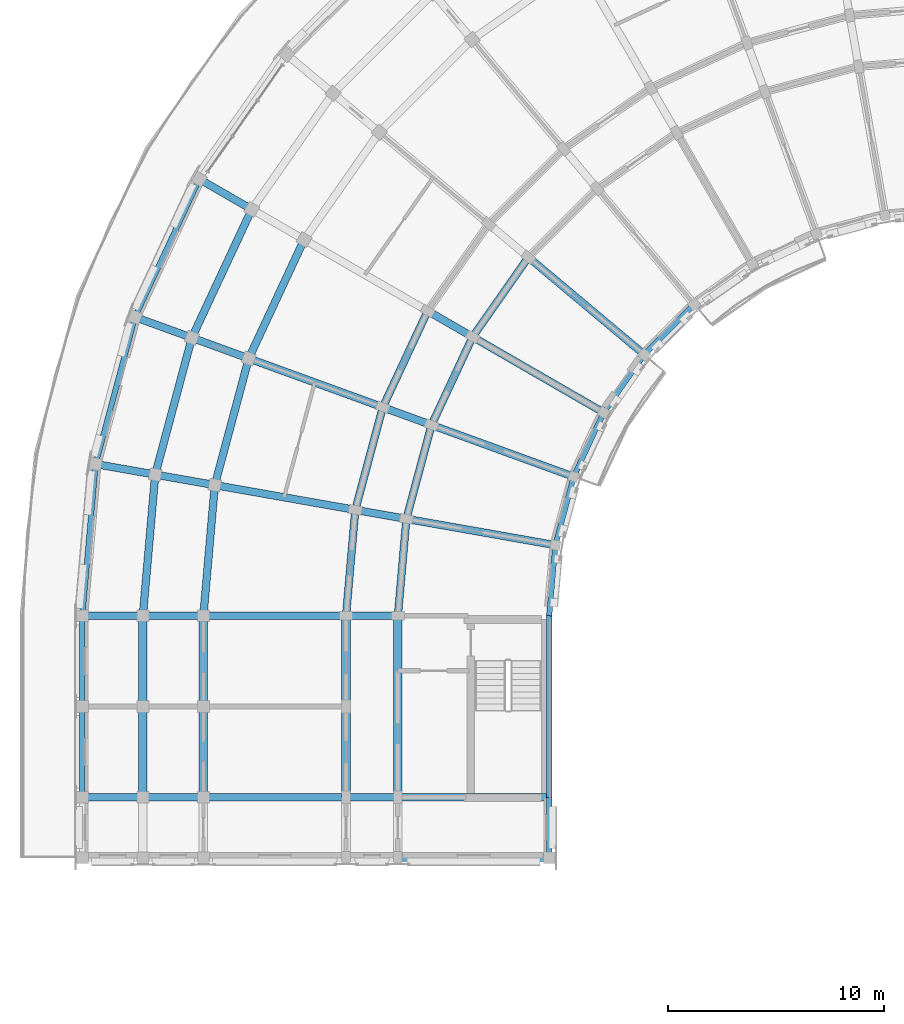
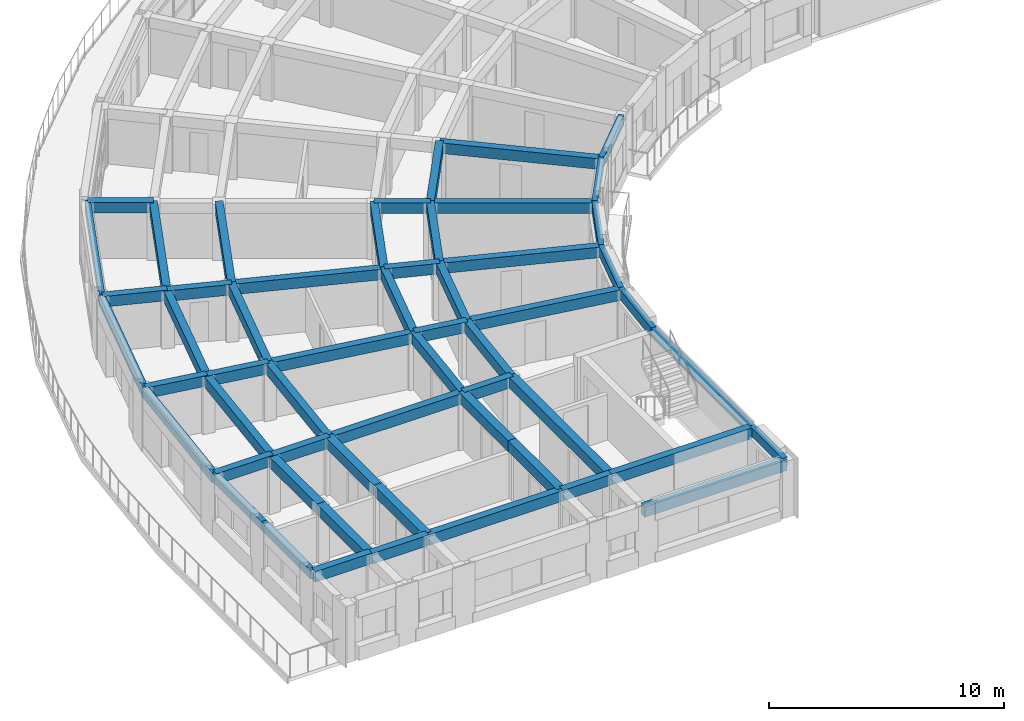
# One storey, part 2 of 23: 56 beams.
"""IFC4 building model written with IfcOpenShell, lengths in metres."""

from ifc_helpers import new_model, si_unit, direction, frame, origin, origin_2d, place, context, subcontext, project, spatial, rectangle, extrude, material, material_profile, profile_set, type_object, element, save


model = new_model("IFC4")

# Units and contexts
model_context = context("Model", 3, precision=1e-05, world=origin(), true_north=direction((0.0, 1.0)))
body_context = subcontext(model_context, "Body", "Model", "MODEL_VIEW")
ifc_project = project(units=[si_unit("LENGTHUNIT", "METRE"), si_unit("AREAUNIT", "SQUARE_METRE"), si_unit("VOLUMEUNIT", "CUBIC_METRE"), si_unit("PLANEANGLEUNIT", "RADIAN"), si_unit("MASSUNIT", "GRAM", prefix="KILO")], contexts=[model_context])

# Site, building, storey
site_placement = place(None, origin())
site = spatial("IfcSite", under=ifc_project, at=site_placement, CompositionType="ELEMENT")
building_placement = place(site_placement, origin())
building = spatial("IfcBuilding", under=site, at=building_placement, Name="Kiranvali Square Residences", CompositionType="ELEMENT")
storey_placement = place(building_placement, frame((0.0, 0.0, 43.35009765625)))
storey = spatial("IfcBuildingStorey", under=building, at=storey_placement, Name="L13", CompositionType="ELEMENT", Elevation=43.35009765625)

# Beams
ifc_material_1 = material(Name="Concrete M40 (40 MPa)", Category="concrete")
ifc_material_profile_1 = material_profile(ifc_material_1, rectangle(XDim=0.35009765625, YDim=0.550048828125, at=origin_2d()), Name="RC 350x550")
ifc_profile_set_1 = profile_set([ifc_material_profile_1], Name="Concrete M40 (40 MPa)")
beam_type_1 = type_object("IfcBeamType", Name="BM-M40-350x550", PredefinedType="BEAM", material=ifc_profile_set_1)
for number, where, z_axis, x_axis, name in (
    (1, (28.43603515625, 104.384033203125, 2.65478515625), (-0.573571637217, -0.819155404658, 0.0), (0.819155404658, -0.573571637217, 0.0), "L13 beam BM-A-L13-C05-R1"),
    (2, (25.8564453125, 100.699951171875, 2.65478515625), (-0.422617978463, -0.906307919131, 0.0), (0.906307919131, -0.422617978463, 0.0), "L13 beam BM-A-L13-C06-R1"),
):
    element("IfcBeam", number, at=place(storey_placement, frame(where, z_axis=z_axis, x_axis=x_axis)), inside=storey, type_object=beam_type_1, Name=name, PredefinedType="BEAM", context=body_context, shape_type="SweptSolid", body=[
        extrude(rectangle(XDim=0.35009765625, YDim=0.550048828125, at=origin_2d()), origin(), (0.0, 0.0, 1.0), 4.497314453125),
    ])
beam_1_placement = place(storey_placement, frame((23.778076171875, 101.89990234375, 2.65478515625), z_axis=(-0.422629854778, -0.906302381024, 0.0), x_axis=(0.906302381024, -0.422629854778, 0.0)))
element("IfcBeam", 3, at=beam_1_placement, inside=storey, type_object=beam_type_1, Name="L13 beam BM-A-L13-C06-R2", PredefinedType="BEAM", context=body_context, shape_type="SweptSolid", body=[
    extrude(rectangle(XDim=0.35009765625, YDim=0.550048828125, at=origin_2d()), origin(), (0.0, 0.0, 1.0), 4.915283203125),
])
beam_2_placement = place(storey_placement, frame((18.062255859375, 105.199951171875, 2.65478515625), z_axis=(-0.42260781991, -0.906312656069, 0.0), x_axis=(0.906312656069, -0.42260781991, 0.0)))
element("IfcBeam", 4, at=beam_2_placement, inside=storey, type_object=beam_type_1, Name="L13 beam BM-A-L13-C06-R3", PredefinedType="BEAM", context=body_context, shape_type="SweptSolid", body=[
    extrude(rectangle(XDim=0.35009765625, YDim=0.550048828125, at=origin_2d()), origin(), (0.0, 0.0, 1.0), 6.06591796875),
])
beam_3_placement = place(storey_placement, frame((15.637451171875, 106.60009765625, 2.65478515625), z_axis=(-0.422595876255, -0.906318225223, 0.0), x_axis=(0.906318225223, -0.422595876255, 0.0)))
element("IfcBeam", 5, at=beam_3_placement, inside=storey, type_object=beam_type_1, Name="L13 beam BM-A-L13-C06-R4", PredefinedType="BEAM", context=body_context, shape_type="SweptSolid", body=[
    extrude(rectangle(XDim=0.35009765625, YDim=0.550048828125, at=origin_2d()), origin(), (0.0, 0.0, 1.0), 6.55419921875),
])
beam_4_placement = place(storey_placement, frame((23.955810546875, 96.6240234375, 2.65478515625), z_axis=(-0.258787642463, -0.965934240054, 0.0), x_axis=(0.965934240054, -0.258787642463, 0.0)))
element("IfcBeam", 6, at=beam_4_placement, inside=storey, type_object=beam_type_1, Name="L13 beam BM-A-L13-C07-R1", PredefinedType="BEAM", context=body_context, shape_type="SweptSolid", body=[
    extrude(rectangle(XDim=0.35009765625, YDim=0.550048828125, at=origin_2d()), origin(), (0.0, 0.0, 1.0), 4.497314453125),
])
beam_5_placement = place(storey_placement, frame((21.70068359375, 97.445068359375, 2.65478515625), z_axis=(-0.258803112091, -0.965930095386, 0.0), x_axis=(0.965930095386, -0.258803112091, 0.0)))
element("IfcBeam", 7, at=beam_5_placement, inside=storey, type_object=beam_type_1, Name="L13 beam BM-A-L13-C07-R2", PredefinedType="BEAM", context=body_context, shape_type="SweptSolid", body=[
    extrude(rectangle(XDim=0.35009765625, YDim=0.550048828125, at=origin_2d()), origin(), (0.0, 0.0, 1.0), 4.915771484375),
])
beam_6_placement = place(storey_placement, frame((15.498779296875, 99.702392578125, 2.65478515625), z_axis=(-0.258827283048, -0.965923618901, 0.0), x_axis=(0.965923618901, -0.258827283048, 0.0)))
element("IfcBeam", 8, at=beam_6_placement, inside=storey, type_object=beam_type_1, Name="L13 beam BM-A-L13-C07-R3", PredefinedType="BEAM", context=body_context, shape_type="SweptSolid", body=[
    extrude(rectangle(XDim=0.35009765625, YDim=0.550048828125, at=origin_2d()), origin(), (0.0, 0.0, 1.0), 6.066162109375),
])
beam_7_placement = place(storey_placement, frame((12.86767578125, 100.659912109375, 2.65478515625), z_axis=(-0.258847178297, -0.965918287583, 0.0), x_axis=(0.965918287583, -0.258847178297, 0.0)))
element("IfcBeam", 9, at=beam_7_placement, inside=storey, type_object=beam_type_1, Name="L13 beam BM-A-L13-C07-R4", PredefinedType="BEAM", context=body_context, shape_type="SweptSolid", body=[
    extrude(rectangle(XDim=0.35009765625, YDim=0.550048828125, at=origin_2d()), origin(), (0.0, 0.0, 1.0), 6.55419921875),
])
beam_8_placement = place(storey_placement, frame((22.7919921875, 92.280029296875, 2.65478515625), z_axis=(-0.087187153726, -0.996191949488, 0.0), x_axis=(0.996191949488, -0.087187153726, 0.0)))
element("IfcBeam", 10, at=beam_8_placement, inside=storey, type_object=beam_type_1, Name="L13 beam BM-A-L13-C08-R1", PredefinedType="BEAM", context=body_context, shape_type="SweptSolid", body=[
    extrude(rectangle(XDim=0.35009765625, YDim=0.550048828125, at=origin_2d()), origin(), (0.0, 0.0, 1.0), 4.4970703125),
])
beam_9_placement = place(storey_placement, frame((20.428466796875, 92.69677734375, 2.65478515625), z_axis=(-0.087167566415, -0.996193663584, 0.0), x_axis=(0.996193663584, -0.087167566415, 0.0)))
element("IfcBeam", 11, at=beam_9_placement, inside=storey, type_object=beam_type_1, Name="L13 beam BM-A-L13-C08-R2", PredefinedType="BEAM", context=body_context, shape_type="SweptSolid", body=[
    extrude(rectangle(XDim=0.35009765625, YDim=0.550048828125, at=origin_2d()), origin(), (0.0, 0.0, 1.0), 4.91552734375),
])
beam_10_placement = place(storey_placement, frame((13.9287109375, 93.843017578125, 2.65478515625), z_axis=(-0.087174938512, -0.996193018494, 0.0), x_axis=(0.996193018494, -0.087174938512, 0.0)))
element("IfcBeam", 12, at=beam_10_placement, inside=storey, type_object=beam_type_1, Name="L13 beam BM-A-L13-C08-R3", PredefinedType="BEAM", context=body_context, shape_type="SweptSolid", body=[
    extrude(rectangle(XDim=0.35009765625, YDim=0.550048828125, at=origin_2d()), origin(), (0.0, 0.0, 1.0), 6.066162109375),
])
beam_11_placement = place(storey_placement, frame((11.171142578125, 94.3291015625, 2.65478515625), z_axis=(-0.0871295204, -0.996196991902, 0.0), x_axis=(0.996196991902, -0.0871295204, 0.0)))
element("IfcBeam", 13, at=beam_11_placement, inside=storey, type_object=beam_type_1, Name="L13 beam BM-A-L13-C08-R4", PredefinedType="BEAM", context=body_context, shape_type="SweptSolid", body=[
    extrude(rectangle(XDim=0.35009765625, YDim=0.550048828125, at=origin_2d()), origin(), (0.0, 0.0, 1.0), 6.553955078125),
])
for number, where, z_axis, x_axis, name in (
    (14, (33.79833984375, 99.884521484375, 2.65478515625), (-0.766044173478, 0.642787931032, 0.0), (-0.642787931032, -0.766044173478, 0.0), "L13 beam BM-A-L13-RAD05-01"),
    (15, (31.918701171875, 97.199951171875, 2.65478515625), (-0.866028190633, 0.499995173006, 0.0), (-0.499995173006, -0.866028190633, 0.0), "L13 beam BM-A-L13-RAD06-01"),
):
    element("IfcBeam", number, at=place(storey_placement, frame(where, z_axis=z_axis, x_axis=x_axis)), inside=storey, type_object=beam_type_1, Name=name, PredefinedType="BEAM", context=body_context, shape_type="SweptSolid", body=[
        extrude(rectangle(XDim=0.35009765625, YDim=0.550048828125, at=origin_2d()), origin(), (0.0, 0.0, 1.0), 7.0),
    ])
beam_12_placement = place(storey_placement, frame((25.8564453125, 100.699951171875, 2.65478515625), z_axis=(-0.866024647952, 0.500001309137, 0.0), x_axis=(-0.500001309137, -0.866024647952, 0.0)))
element("IfcBeam", 16, at=beam_12_placement, inside=storey, type_object=beam_type_1, Name="L13 beam BM-A-L13-RAD06-12", PredefinedType="BEAM", context=body_context, shape_type="SweptSolid", body=[
    extrude(rectangle(XDim=0.35009765625, YDim=0.550048828125, at=origin_2d()), origin(), (0.0, 0.0, 1.0), 2.39990234375),
])
beam_13_placement = place(storey_placement, frame((15.637451171875, 106.60009765625, 2.69482421875), z_axis=(-0.866034573852, 0.49998411664, 0.0), x_axis=(-0.49998411664, -0.866034573852, 0.0)))
element("IfcBeam", 17, at=beam_13_placement, inside=storey, type_object=beam_type_1, Name="L13 beam BM-A-L13-RAD06-45", PredefinedType="BEAM", context=body_context, shape_type="SweptSolid", body=[
    extrude(rectangle(XDim=0.35009765625, YDim=0.550048828125, at=origin_2d()), origin(), (0.0, 0.0, 1.0), 2.7998046875),
])
beam_14_placement = place(storey_placement, frame((30.53369140625, 94.22998046875, 2.65478515625), z_axis=(-0.939697665127, 0.342006283793, 0.0), x_axis=(-0.342006283793, -0.939697665127, 0.0)))
element("IfcBeam", 18, at=beam_14_placement, inside=storey, type_object=beam_type_1, Name="L13 beam BM-A-L13-RAD07-01", PredefinedType="BEAM", context=body_context, shape_type="SweptSolid", body=[
    extrude(rectangle(XDim=0.35009765625, YDim=0.550048828125, at=origin_2d()), origin(), (0.0, 0.0, 1.0), 7.0),
])
beam_15_placement = place(storey_placement, frame((23.955810546875, 96.6240234375, 2.65478515625), z_axis=(-0.939659694648, 0.342110593602, 0.0), x_axis=(-0.342110593602, -0.939659694648, 0.0)))
element("IfcBeam", 19, at=beam_15_placement, inside=storey, type_object=beam_type_1, Name="L13 beam BM-A-L13-RAD07-12", PredefinedType="BEAM", context=body_context, shape_type="SweptSolid", body=[
    extrude(rectangle(XDim=0.35009765625, YDim=0.550048828125, at=origin_2d()), origin(), (0.0, 0.0, 1.0), 2.39990234375),
])
beam_16_placement = place(storey_placement, frame((21.70068359375, 97.445068359375, 2.65478515625), z_axis=(-0.939691858249, 0.342022238372, 0.0), x_axis=(-0.342022238372, -0.939691858249, 0.0)))
element("IfcBeam", 20, at=beam_16_placement, inside=storey, type_object=beam_type_1, Name="L13 beam BM-A-L13-RAD07-23", PredefinedType="BEAM", context=body_context, shape_type="SweptSolid", body=[
    extrude(rectangle(XDim=0.35009765625, YDim=0.550048828125, at=origin_2d()), origin(), (0.0, 0.0, 1.0), 6.599853515625),
])
beam_17_placement = place(storey_placement, frame((15.498779296875, 99.702392578125, 2.65478515625), z_axis=(-0.93970683422, 0.341981089711, 0.0), x_axis=(-0.341981089711, -0.93970683422, 0.0)))
element("IfcBeam", 21, at=beam_17_placement, inside=storey, type_object=beam_type_1, Name="L13 beam BM-A-L13-RAD07-34", PredefinedType="BEAM", context=body_context, shape_type="SweptSolid", body=[
    extrude(rectangle(XDim=0.35009765625, YDim=0.550048828125, at=origin_2d()), origin(), (0.0, 0.0, 1.0), 2.7998046875),
])
beam_18_placement = place(storey_placement, frame((12.86767578125, 100.659912109375, 2.69482421875), z_axis=(-0.939689011208, 0.342030060398, 0.0), x_axis=(-0.342030060398, -0.939689011208, 0.0)))
element("IfcBeam", 22, at=beam_18_placement, inside=storey, type_object=beam_type_1, Name="L13 beam BM-A-L13-RAD07-45", PredefinedType="BEAM", context=body_context, shape_type="SweptSolid", body=[
    extrude(rectangle(XDim=0.35009765625, YDim=0.550048828125, at=origin_2d()), origin(), (0.0, 0.0, 1.0), 2.80029296875),
])
beam_19_placement = place(storey_placement, frame((29.685546875, 91.064697265625, 2.65478515625), z_axis=(-0.984812337125, 0.173622177865, 0.0), x_axis=(-0.173622177865, -0.984812337125, 0.0)))
element("IfcBeam", 23, at=beam_19_placement, inside=storey, type_object=beam_type_1, Name="L13 beam BM-A-L13-RAD08-01", PredefinedType="BEAM", context=body_context, shape_type="SweptSolid", body=[
    extrude(rectangle(XDim=0.35009765625, YDim=0.550048828125, at=origin_2d()), origin(), (0.0, 0.0, 1.0), 6.999755859375),
])
beam_20_placement = place(storey_placement, frame((22.7919921875, 92.280029296875, 2.65478515625), z_axis=(-0.984808127031, 0.173646056486, 0.0), x_axis=(-0.173646056486, -0.984808127031, 0.0)))
element("IfcBeam", 24, at=beam_20_placement, inside=storey, type_object=beam_type_1, Name="L13 beam BM-A-L13-RAD08-12", PredefinedType="BEAM", context=body_context, shape_type="SweptSolid", body=[
    extrude(rectangle(XDim=0.35009765625, YDim=0.550048828125, at=origin_2d()), origin(), (0.0, 0.0, 1.0), 2.39990234375),
])
beam_21_placement = place(storey_placement, frame((20.428466796875, 92.69677734375, 2.65478515625), z_axis=(-0.984803661269, 0.173671381499, 0.0), x_axis=(-0.173671381499, -0.984803661269, 0.0)))
element("IfcBeam", 25, at=beam_21_placement, inside=storey, type_object=beam_type_1, Name="L13 beam BM-A-L13-RAD08-23", PredefinedType="BEAM", context=body_context, shape_type="SweptSolid", body=[
    extrude(rectangle(XDim=0.35009765625, YDim=0.550048828125, at=origin_2d()), origin(), (0.0, 0.0, 1.0), 6.60009765625),
])
beam_22_placement = place(storey_placement, frame((13.9287109375, 93.843017578125, 2.65478515625), z_axis=(-0.984816895441, 0.173596320392, 0.0), x_axis=(-0.173596320392, -0.984816895441, 0.0)))
element("IfcBeam", 26, at=beam_22_placement, inside=storey, type_object=beam_type_1, Name="L13 beam BM-A-L13-RAD08-34", PredefinedType="BEAM", context=body_context, shape_type="SweptSolid", body=[
    extrude(rectangle(XDim=0.35009765625, YDim=0.550048828125, at=origin_2d()), origin(), (0.0, 0.0, 1.0), 2.800048828125),
])
beam_23_placement = place(storey_placement, frame((11.171142578125, 94.3291015625, 2.69482421875), z_axis=(-0.984799355489, 0.173695795656, 0.0), x_axis=(-0.173695795656, -0.984799355489, 0.0)))
element("IfcBeam", 27, at=beam_23_placement, inside=storey, type_object=beam_type_1, Name="L13 beam BM-A-L13-RAD08-45", PredefinedType="BEAM", context=body_context, shape_type="SweptSolid", body=[
    extrude(rectangle(XDim=0.35009765625, YDim=0.550048828125, at=origin_2d()), origin(), (0.0, 0.0, 1.0), 2.7998046875),
])
beam_24_placement = place(storey_placement, frame((22.39990234375, 87.800048828125, 2.65478515625), z_axis=(-1.0, 0.0, 0.0), x_axis=(0.0, -1.0, 0.0)))
element("IfcBeam", 28, at=beam_24_placement, inside=storey, type_object=beam_type_1, Name="L13 beam BM-A-L13-A2T0-12", PredefinedType="BEAM", context=body_context, shape_type="SweptSolid", body=[
    extrude(rectangle(XDim=0.35009765625, YDim=0.550048828125, at=origin_2d()), origin(), (0.0, 0.0, 1.0), 2.39990234375),
])
beam_25_placement = place(storey_placement, frame((20.0, 87.800048828125, 2.65478515625), z_axis=(-1.0, 0.0, 0.0), x_axis=(0.0, -1.0, 0.0)))
element("IfcBeam", 29, at=beam_25_placement, inside=storey, type_object=beam_type_1, Name="L13 beam BM-A-L13-A2T0-23", PredefinedType="BEAM", context=body_context, shape_type="SweptSolid", body=[
    extrude(rectangle(XDim=0.35009765625, YDim=0.550048828125, at=origin_2d()), origin(), (0.0, 0.0, 1.0), 6.60009765625),
])
beam_26_placement = place(storey_placement, frame((13.39990234375, 87.800048828125, 2.65478515625), z_axis=(-1.0, 0.0, 0.0), x_axis=(0.0, -1.0, 0.0)))
element("IfcBeam", 30, at=beam_26_placement, inside=storey, type_object=beam_type_1, Name="L13 beam BM-A-L13-A2T0-34", PredefinedType="BEAM", context=body_context, shape_type="SweptSolid", body=[
    extrude(rectangle(XDim=0.35009765625, YDim=0.550048828125, at=origin_2d()), origin(), (0.0, 0.0, 1.0), 2.7998046875),
])
beam_27_placement = place(storey_placement, frame((10.60009765625, 87.800048828125, 2.69482421875), z_axis=(-1.0, 0.0, 0.0), x_axis=(0.0, -1.0, 0.0)))
element("IfcBeam", 31, at=beam_27_placement, inside=storey, type_object=beam_type_1, Name="L13 beam BM-A-L13-A2T0-45", PredefinedType="BEAM", context=body_context, shape_type="SweptSolid", body=[
    extrude(rectangle(XDim=0.35009765625, YDim=0.550048828125, at=origin_2d()), origin(), (0.0, 0.0, 1.0), 2.800048828125),
])
beam_28_placement = place(storey_placement, frame((29.39990234375, 79.39990234375, 2.65478515625), z_axis=(-1.0, 0.0, 0.0), x_axis=(0.0, -1.0, 0.0)))
element("IfcBeam", 32, at=beam_28_placement, inside=storey, type_object=beam_type_1, Name="L13 beam BM-A-L13-A2T1-01", PredefinedType="BEAM", context=body_context, shape_type="SweptSolid", body=[
    extrude(rectangle(XDim=0.35009765625, YDim=0.550048828125, at=origin_2d()), origin(), (0.0, 0.0, 1.0), 7.0),
])
beam_29_placement = place(storey_placement, frame((22.39990234375, 79.39990234375, 2.65478515625), z_axis=(-1.0, 0.0, 0.0), x_axis=(0.0, -1.0, 0.0)))
element("IfcBeam", 33, at=beam_29_placement, inside=storey, type_object=beam_type_1, Name="L13 beam BM-A-L13-A2T1-12", PredefinedType="BEAM", context=body_context, shape_type="SweptSolid", body=[
    extrude(rectangle(XDim=0.35009765625, YDim=0.550048828125, at=origin_2d()), origin(), (0.0, 0.0, 1.0), 2.39990234375),
])
beam_30_placement = place(storey_placement, frame((20.0, 79.39990234375, 2.65478515625), z_axis=(-1.0, 0.0, 0.0), x_axis=(0.0, -1.0, 0.0)))
element("IfcBeam", 34, at=beam_30_placement, inside=storey, type_object=beam_type_1, Name="L13 beam BM-A-L13-A2T1-23", PredefinedType="BEAM", context=body_context, shape_type="SweptSolid", body=[
    extrude(rectangle(XDim=0.35009765625, YDim=0.550048828125, at=origin_2d()), origin(), (0.0, 0.0, 1.0), 6.60009765625),
])
beam_31_placement = place(storey_placement, frame((13.39990234375, 79.39990234375, 2.65478515625), z_axis=(-1.0, 0.0, 0.0), x_axis=(0.0, -1.0, 0.0)))
element("IfcBeam", 35, at=beam_31_placement, inside=storey, type_object=beam_type_1, Name="L13 beam BM-A-L13-A2T1-34", PredefinedType="BEAM", context=body_context, shape_type="SweptSolid", body=[
    extrude(rectangle(XDim=0.35009765625, YDim=0.550048828125, at=origin_2d()), origin(), (0.0, 0.0, 1.0), 2.7998046875),
])
beam_32_placement = place(storey_placement, frame((10.60009765625, 79.39990234375, 2.69482421875), z_axis=(-1.0, 0.0, 0.0), x_axis=(0.0, -1.0, 0.0)))
element("IfcBeam", 36, at=beam_32_placement, inside=storey, type_object=beam_type_1, Name="L13 beam BM-A-L13-A2T1-45", PredefinedType="BEAM", context=body_context, shape_type="SweptSolid", body=[
    extrude(rectangle(XDim=0.35009765625, YDim=0.550048828125, at=origin_2d()), origin(), (0.0, 0.0, 1.0), 2.800048828125),
])
beam_33_placement = place(storey_placement, frame((29.39990234375, 76.60009765625, 2.65478515625), z_axis=(-1.0, 0.0, 0.0), x_axis=(0.0, -1.0, 0.0)))
element("IfcBeam", 37, at=beam_33_placement, inside=storey, type_object=beam_type_1, Name="L13 beam BM-A-L13-A2T2-01", PredefinedType="BEAM", context=body_context, shape_type="SweptSolid", body=[
    extrude(rectangle(XDim=0.35009765625, YDim=0.550048828125, at=origin_2d()), origin(), (0.0, 0.0, 1.0), 7.0),
])
ifc_material_2 = material(Name="Concrete M45 (45 MPa)", Category="concrete")
ifc_material_profile_2 = material_profile(ifc_material_2, rectangle(XDim=0.39990234375, YDim=0.550048828125, at=origin_2d()), Name="RC 400x550")
ifc_profile_set_2 = profile_set([ifc_material_profile_2], Name="Concrete M45 (45 MPa)")
beam_type_2 = type_object("IfcBeamType", Name="BM-M45-400x550", PredefinedType="BEAM", material=ifc_profile_set_2)
beam_34_placement = place(storey_placement, frame((22.39990234375, 87.800048828125, 2.65478515625), z_axis=(0.0, -1.0, 0.0), x_axis=(1.0, 0.0, 0.0)))
element("IfcBeam", 38, at=beam_34_placement, inside=storey, type_object=beam_type_2, Name="L13 beam BM-A-L13-A2V0-R1", PredefinedType="BEAM", context=body_context, shape_type="SweptSolid", body=[
    extrude(rectangle(XDim=0.39990234375, YDim=0.550048828125, at=origin_2d()), origin(), (0.0, 0.0, 1.0), 8.400146484375),
])
beam_35_placement = place(storey_placement, frame((20.0, 87.800048828125, 2.65478515625), z_axis=(0.0, -1.0, 0.0), x_axis=(1.0, 0.0, 0.0)))
element("IfcBeam", 39, at=beam_35_placement, inside=storey, type_object=beam_type_2, Name="L13 beam BM-A-L13-A2V0-R2", PredefinedType="BEAM", context=body_context, shape_type="SweptSolid", body=[
    extrude(rectangle(XDim=0.39990234375, YDim=0.550048828125, at=origin_2d()), origin(), (0.0, 0.0, 1.0), 4.199951171875),
])
beam_36_placement = place(storey_placement, frame((20.0, 83.60009765625, 2.65478515625), z_axis=(0.0, -1.0, 0.0), x_axis=(1.0, 0.0, 0.0)))
element("IfcBeam", 40, at=beam_36_placement, inside=storey, type_object=beam_type_2, Name="L13 beam BM-A-L13-A2V1-R2", PredefinedType="BEAM", context=body_context, shape_type="SweptSolid", body=[
    extrude(rectangle(XDim=0.39990234375, YDim=0.550048828125, at=origin_2d()), origin(), (0.0, 0.0, 1.0), 4.2001953125),
])
beam_37_placement = place(storey_placement, frame((13.39990234375, 87.800048828125, 2.65478515625), z_axis=(0.0, -1.0, 0.0), x_axis=(1.0, 0.0, 0.0)))
element("IfcBeam", 41, at=beam_37_placement, inside=storey, type_object=beam_type_2, Name="L13 beam BM-A-L13-A2V0-R3", PredefinedType="BEAM", context=body_context, shape_type="SweptSolid", body=[
    extrude(rectangle(XDim=0.39990234375, YDim=0.550048828125, at=origin_2d()), origin(), (0.0, 0.0, 1.0), 4.199951171875),
])
beam_38_placement = place(storey_placement, frame((13.39990234375, 83.60009765625, 2.65478515625), z_axis=(0.0, -1.0, 0.0), x_axis=(1.0, 0.0, 0.0)))
element("IfcBeam", 42, at=beam_38_placement, inside=storey, type_object=beam_type_2, Name="L13 beam BM-A-L13-A2V1-R3", PredefinedType="BEAM", context=body_context, shape_type="SweptSolid", body=[
    extrude(rectangle(XDim=0.39990234375, YDim=0.550048828125, at=origin_2d()), origin(), (0.0, 0.0, 1.0), 4.2001953125),
])
beam_39_placement = place(storey_placement, frame((10.60009765625, 87.800048828125, 2.65478515625), z_axis=(0.0, -1.0, 0.0), x_axis=(1.0, 0.0, 0.0)))
element("IfcBeam", 43, at=beam_39_placement, inside=storey, type_object=beam_type_2, Name="L13 beam BM-A-L13-A2V0-R4", PredefinedType="BEAM", context=body_context, shape_type="SweptSolid", body=[
    extrude(rectangle(XDim=0.39990234375, YDim=0.550048828125, at=origin_2d()), origin(), (0.0, 0.0, 1.0), 4.199951171875),
])
beam_40_placement = place(storey_placement, frame((10.60009765625, 83.60009765625, 2.65478515625), z_axis=(0.0, -1.0, 0.0), x_axis=(1.0, 0.0, 0.0)))
element("IfcBeam", 44, at=beam_40_placement, inside=storey, type_object=beam_type_2, Name="L13 beam BM-A-L13-A2V1-R4", PredefinedType="BEAM", context=body_context, shape_type="SweptSolid", body=[
    extrude(rectangle(XDim=0.39990234375, YDim=0.550048828125, at=origin_2d()), origin(), (0.0, 0.0, 1.0), 4.2001953125),
])
ifc_material_profile_3 = material_profile(ifc_material_1, rectangle(XDim=0.25, YDim=0.449951171875, at=origin_2d()), Name="RC 250x450")
ifc_profile_set_3 = profile_set([ifc_material_profile_3], Name="Concrete M40 (40 MPa)")
beam_type_3 = type_object("IfcBeamType", Name="SPN-M40-250x450", PredefinedType="SPANDREL", material=ifc_profile_set_3)
beam_41_placement = place(storey_placement, frame((29.39990234375, 87.800048828125, 2.704833984375), z_axis=(0.0, -1.0, 0.0), x_axis=(1.0, 0.0, 0.0)))
element("IfcBeam", 45, at=beam_41_placement, inside=storey, type_object=beam_type_3, Name="L13 beam BM-A-L13-A2V0-R0", PredefinedType="SPANDREL", context=body_context, shape_type="SweptSolid", body=[
    extrude(rectangle(XDim=0.25, YDim=0.449951171875, at=origin_2d()), origin(), (0.0, 0.0, 1.0), 8.400146484375),
])
beam_42_placement = place(storey_placement, frame((29.39990234375, 79.39990234375, 2.704833984375), z_axis=(0.0, -1.0, 0.0), x_axis=(1.0, 0.0, 0.0)))
element("IfcBeam", 46, at=beam_42_placement, inside=storey, type_object=beam_type_3, Name="L13 beam BM-A-L13-A2V1-R0", PredefinedType="SPANDREL", context=body_context, shape_type="SweptSolid", body=[
    extrude(rectangle(XDim=0.25, YDim=0.449951171875, at=origin_2d()), origin(), (0.0, 0.0, 1.0), 2.7998046875),
])
beam_43_placement = place(storey_placement, frame((7.800048828125, 87.800048828125, 2.744873046875), z_axis=(0.0, -1.0, 0.0), x_axis=(1.0, 0.0, 0.0)))
element("IfcBeam", 47, at=beam_43_placement, inside=storey, type_object=beam_type_3, Name="L13 beam BM-A-L13-A2V0-R5", PredefinedType="SPANDREL", context=body_context, shape_type="SweptSolid", body=[
    extrude(rectangle(XDim=0.25, YDim=0.449951171875, at=origin_2d()), origin(), (0.0, 0.0, 1.0), 4.199951171875),
])
beam_44_placement = place(storey_placement, frame((7.800048828125, 83.60009765625, 2.744873046875), z_axis=(0.0, -1.0, 0.0), x_axis=(1.0, 0.0, 0.0)))
element("IfcBeam", 48, at=beam_44_placement, inside=storey, type_object=beam_type_3, Name="L13 beam BM-A-L13-A2V1-R5", PredefinedType="SPANDREL", context=body_context, shape_type="SweptSolid", body=[
    extrude(rectangle(XDim=0.25, YDim=0.449951171875, at=origin_2d()), origin(), (0.0, 0.0, 1.0), 4.2001953125),
])
ifc_material_profile_4 = material_profile(ifc_material_1, rectangle(XDim=0.25, YDim=0.5, at=origin_2d()), Name="RC 250x500")
ifc_profile_set_4 = profile_set([ifc_material_profile_4], Name="Concrete M40 (40 MPa)")
beam_type_4 = type_object("IfcBeamType", Name="SPN-M40-250x500", PredefinedType="SPANDREL", material=ifc_profile_set_4)
beam_45_placement = place(storey_placement, frame((36.115478515625, 102.20166015625, 2.679931640625), z_axis=(-0.707106781187, -0.707106781187, 0.0), x_axis=(0.707106781187, -0.707106781187, 0.0)))
element("IfcBeam", 49, at=beam_45_placement, inside=storey, type_object=beam_type_4, Name="L13 beam BM-A-L13-C04-R0", PredefinedType="SPANDREL", context=body_context, shape_type="SweptSolid", body=[
    extrude(rectangle(XDim=0.25, YDim=0.5, at=origin_2d()), origin(), (0.0, 0.0, 1.0), 3.27685546875),
])
for number, where, z_axis, x_axis, name in (
    (50, (33.79833984375, 99.884521484375, 2.679931640625), (-0.573552337269, -0.81916891812, 0.0), (0.81916891812, -0.573552337269, 0.0), "L13 beam BM-A-L13-C05-R0"),
    (51, (31.918701171875, 97.199951171875, 2.679931640625), (-0.422640740585, -0.90629730464, 0.0), (0.90629730464, -0.422640740585, 0.0), "L13 beam BM-A-L13-C06-R0"),
):
    element("IfcBeam", number, at=place(storey_placement, frame(where, z_axis=z_axis, x_axis=x_axis)), inside=storey, type_object=beam_type_4, Name=name, PredefinedType="SPANDREL", context=body_context, shape_type="SweptSolid", body=[
        extrude(rectangle(XDim=0.25, YDim=0.5, at=origin_2d()), origin(), (0.0, 0.0, 1.0), 3.277099609375),
    ])
beam_46_placement = place(storey_placement, frame((30.53369140625, 94.22998046875, 2.679931640625), z_axis=(-0.258821736607, -0.965925105099, 0.0), x_axis=(0.965925105099, -0.258821736607, 0.0)))
element("IfcBeam", 52, at=beam_46_placement, inside=storey, type_object=beam_type_4, Name="L13 beam BM-A-L13-C07-R0", PredefinedType="SPANDREL", context=body_context, shape_type="SweptSolid", body=[
    extrude(rectangle(XDim=0.25, YDim=0.5, at=origin_2d()), origin(), (0.0, 0.0, 1.0), 3.27685546875),
])
beam_47_placement = place(storey_placement, frame((29.685546875, 91.064697265625, 2.679931640625), z_axis=(-0.087163253657, -0.996194040944, 0.0), x_axis=(0.996194040944, -0.087163253657, 0.0)))
element("IfcBeam", 53, at=beam_47_placement, inside=storey, type_object=beam_type_4, Name="L13 beam BM-A-L13-C08-R0", PredefinedType="SPANDREL", context=body_context, shape_type="SweptSolid", body=[
    extrude(rectangle(XDim=0.25, YDim=0.5, at=origin_2d()), origin(), (0.0, 0.0, 1.0), 3.277099609375),
])
ifc_material_profile_5 = material_profile(ifc_material_1, rectangle(XDim=0.25, YDim=0.550048828125, at=origin_2d()), Name="RC 250x550")
ifc_profile_set_5 = profile_set([ifc_material_profile_5], Name="Concrete M40 (40 MPa)")
beam_type_5 = type_object("IfcBeamType", Name="SPN-M40-250x550", PredefinedType="SPANDREL", material=ifc_profile_set_5)
for number, where, z_axis, x_axis, name in (
    (54, (13.212646484375, 108.0, 2.69482421875), (-0.422640621205, -0.906297360311, 0.0), (0.906297360311, -0.422640621205, 0.0), "L13 beam BM-A-L13-C06-R5"),
    (55, (10.236328125, 101.61767578125, 2.69482421875), (-0.258799624492, -0.965931029817, 0.0), (0.965931029817, -0.258799624492, 0.0), "L13 beam BM-A-L13-C07-R5"),
    (56, (8.413818359375, 94.8154296875, 2.69482421875), (-0.087156198737, -0.996194658198, 0.0), (0.996194658198, -0.087156198737, 0.0), "L13 beam BM-A-L13-C08-R5"),
):
    element("IfcBeam", number, at=place(storey_placement, frame(where, z_axis=z_axis, x_axis=x_axis)), inside=storey, type_object=beam_type_5, Name=name, PredefinedType="SPANDREL", context=body_context, shape_type="SweptSolid", body=[
        extrude(rectangle(XDim=0.25, YDim=0.550048828125, at=origin_2d()), origin(), (0.0, 0.0, 1.0), 7.042236328125),
    ])

save(model, "model.ifc")
